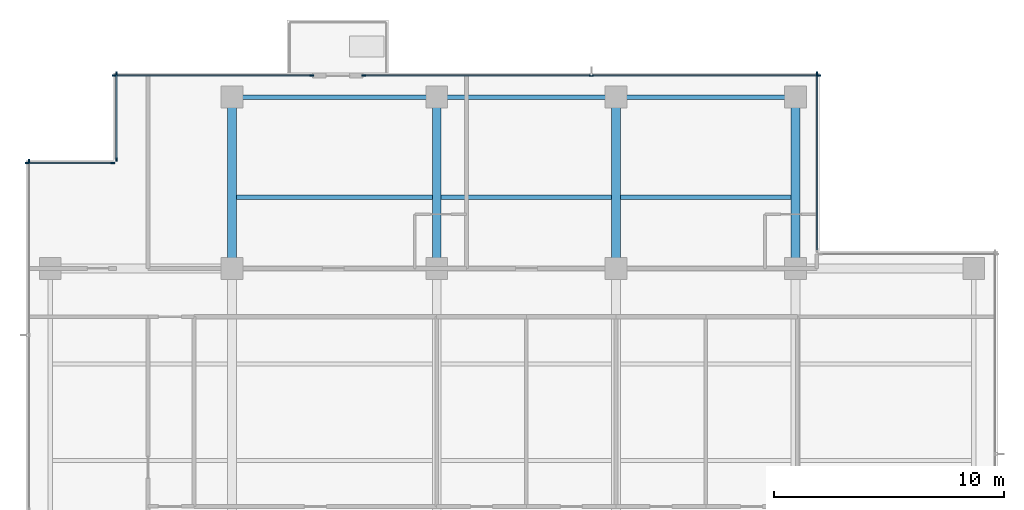
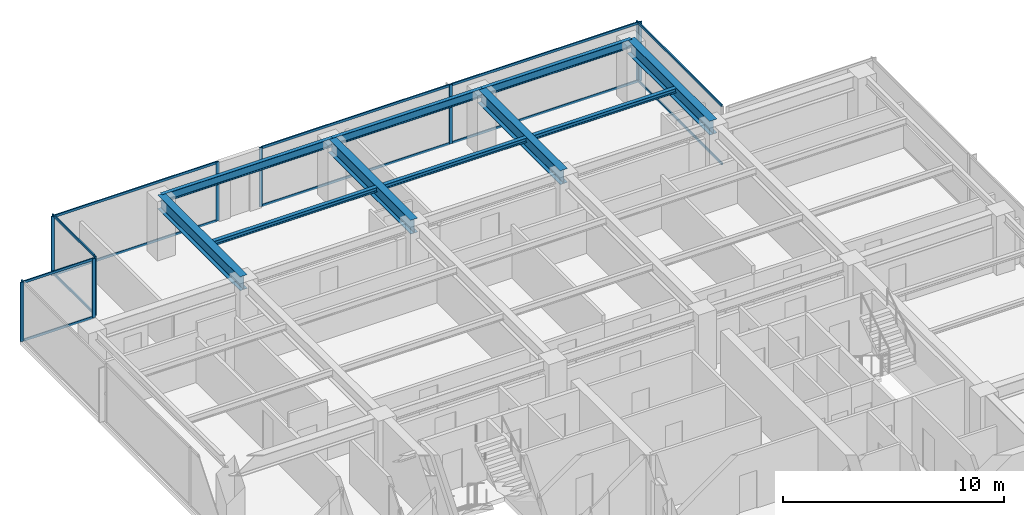
# One storey, part 5 of 14: 23 members, 10 beams, 6 elements without a shape of their own.
"""IFC4 building model written with IfcOpenShell, lengths in metres."""

from ifc_helpers import new_model, si_unit, direction, frame, origin, origin_2d, place, context, subcontext, project, spatial, rectangle, i_section, extrude, material, layer, layer_set, material_profile, profile_set, type_object, element, aggregate, save


model = new_model("IFC4")

# Units and contexts
model_context = context("Model", 3, precision=1e-05, world=origin(), true_north=direction((0.0, 1.0)))
body_context = subcontext(model_context, "Body", "Model", "MODEL_VIEW")
ifc_project = project(units=[si_unit("LENGTHUNIT", "METRE"), si_unit("AREAUNIT", "SQUARE_METRE"), si_unit("VOLUMEUNIT", "CUBIC_METRE"), si_unit("PLANEANGLEUNIT", "RADIAN"), si_unit("MASSUNIT", "GRAM", prefix="KILO")], contexts=[model_context])

# Site, building, storey
site_placement = place(None, origin())
site = spatial("IfcSite", under=ifc_project, at=site_placement, CompositionType="ELEMENT")
building_placement = place(site_placement, origin())
building = spatial("IfcBuilding", under=site, at=building_placement, Name="Qalmaran Belvedere Hotel", CompositionType="ELEMENT")
storey_placement = place(building_placement, frame((0.0, 0.0, 217.89990234375)))
storey = spatial("IfcBuildingStorey", under=building, at=storey_placement, Name="L55", CompositionType="ELEMENT", Elevation=217.89990234375)

# Beams
ifc_material_1 = material(Name="Steel S355JR", Category="steel")
ifc_material_profile_1 = material_profile(ifc_material_1, i_section(OverallWidth=0.201904296875, OverallDepth=0.2470703125, WebThickness=0.00732421875, FlangeThickness=0.010986328125, FilletRadius=0.011962890625, at=origin_2d()), Name="W250X49")
ifc_profile_set_1 = profile_set([ifc_material_profile_1], Name="Steel S355JR")
beam_type_1 = type_object("IfcBeamType", Name="BM-JST-W250X49", PredefinedType="JOIST", material=ifc_profile_set_1)
beam_1_placement = place(storey_placement, frame((20.488525390625, 36.10009765625, 3.13671875), z_axis=(1.0, 0.0, 0.0), x_axis=(0.0, 1.0, 0.0)))
element("IfcBeam", 1, at=beam_1_placement, inside=storey, type_object=beam_type_1, Name="L55 North Floor Joist 042", PredefinedType="JOIST", context=body_context, shape_type="SweptSolid", body=[
    extrude(i_section(OverallWidth=0.201904296875, OverallDepth=0.2470703125, WebThickness=0.00732421875, FlangeThickness=0.010986328125, FilletRadius=0.011962890625, at=origin_2d()), origin(), (0.0, 0.0, 1.0), 8.52294921875),
])
for number, where, z_axis, x_axis, name in (
    (2, (29.388427734375, 36.10009765625, 3.13671875), (1.0, 0.0, 0.0), (0.0, 1.0, 0.0), "L55 North Floor Joist 043"),
    (3, (37.1884765625, 36.10009765625, 3.13671875), (1.0, 0.0, 0.0), (0.0, 1.0, 0.0), "L55 North Floor Joist 044"),
):
    element("IfcBeam", number, at=place(storey_placement, frame(where, z_axis=z_axis, x_axis=x_axis)), inside=storey, type_object=beam_type_1, Name=name, PredefinedType="JOIST", context=body_context, shape_type="SweptSolid", body=[
        extrude(i_section(OverallWidth=0.201904296875, OverallDepth=0.2470703125, WebThickness=0.00732421875, FlangeThickness=0.010986328125, FilletRadius=0.011962890625, at=origin_2d()), origin(), (0.0, 0.0, 1.0), 7.423095703125),
    ])
ifc_material_profile_2 = material_profile(ifc_material_1, i_section(OverallWidth=0.381103515625, OverallDepth=0.77294921875, WebThickness=0.0166015625, FlangeThickness=0.027099609375, FilletRadius=0.02197265625, at=origin_2d()), Name="W760X257")
ifc_profile_set_2 = profile_set([ifc_material_profile_2], Name="Steel S355JR")
beam_type_2 = type_object("IfcBeamType", Name="BM-PG4-W760X257", PredefinedType="USERDEFINED", material=ifc_profile_set_2)
for number, where, z_axis, x_axis, name in (
    (4, (20.300048828125, 33.0, 2.87353515625), (0.0, 1.0, 0.0), (-1.0, 0.0, 0.0), "L55 North Bay Girder 15"),
    (5, (29.199951171875, 33.0, 2.87353515625), (0.0, 1.0, 0.0), (-1.0, 0.0, 0.0), "L55 North Bay Girder 17"),
    (6, (37.0, 33.0, 2.87353515625), (0.0, 1.0, 0.0), (-1.0, 0.0, 0.0), "L55 North Bay Girder 19"),
    (7, (44.800048828125, 33.0, 2.87353515625), (0.0, 1.0, 0.0), (-1.0, 0.0, 0.0), "L55 North Bay Girder 21"),
):
    element("IfcBeam", number, at=place(storey_placement, frame(where, z_axis=z_axis, x_axis=x_axis)), inside=storey, type_object=beam_type_2, Name=name, ObjectType="GIRDER", PredefinedType="USERDEFINED", context=body_context, shape_type="SweptSolid", body=[
        extrude(i_section(OverallWidth=0.381103515625, OverallDepth=0.77294921875, WebThickness=0.0166015625, FlangeThickness=0.027099609375, FilletRadius=0.02197265625, at=origin_2d()), origin(), (0.0, 0.0, 1.0), 7.449951171875),
    ])
ifc_material_profile_3 = material_profile(ifc_material_1, i_section(OverallWidth=0.19189453125, OverallDepth=0.462890625, WebThickness=0.010498046875, FlangeThickness=0.017578125, FilletRadius=0.01611328125, at=origin_2d()), Name="W460X89")
ifc_profile_set_3 = profile_set([ifc_material_profile_3], Name="Steel S355JR")
beam_type_3 = type_object("IfcBeamType", Name="BM-SP2-W460X89", PredefinedType="SPANDREL", material=ifc_profile_set_3)
beam_2_placement = place(storey_placement, frame((20.300048828125, 40.449951171875, 3.028564453125), z_axis=(1.0, 0.0, 0.0), x_axis=(0.0, 1.0, 0.0)))
element("IfcBeam", 8, at=beam_2_placement, inside=storey, type_object=beam_type_3, Name="L55 Perimeter Spandrel 05", PredefinedType="SPANDREL", context=body_context, shape_type="SweptSolid", body=[
    extrude(i_section(OverallWidth=0.19189453125, OverallDepth=0.462890625, WebThickness=0.010498046875, FlangeThickness=0.017578125, FilletRadius=0.01611328125, at=origin_2d()), origin(), (0.0, 0.0, 1.0), 8.89990234375),
])
for number, where, z_axis, x_axis, name in (
    (9, (29.199951171875, 40.449951171875, 3.028564453125), (1.0, 0.0, 0.0), (0.0, 1.0, 0.0), "L55 Perimeter Spandrel 06"),
    (10, (37.0, 40.449951171875, 3.028564453125), (1.0, 0.0, 0.0), (0.0, 1.0, 0.0), "L55 Perimeter Spandrel 07"),
):
    element("IfcBeam", number, at=place(storey_placement, frame(where, z_axis=z_axis, x_axis=x_axis)), inside=storey, type_object=beam_type_3, Name=name, PredefinedType="SPANDREL", context=body_context, shape_type="SweptSolid", body=[
        extrude(i_section(OverallWidth=0.19189453125, OverallDepth=0.462890625, WebThickness=0.010498046875, FlangeThickness=0.017578125, FilletRadius=0.01611328125, at=origin_2d()), origin(), (0.0, 0.0, 1.0), 7.800048828125),
    ])

# Curtain wall, member
ifc_material_2 = material(Name="Anodised Bronze Aluminium", Category="aluminium")
ifc_layer = layer(ifc_material_2, 0.18994140625, Name="Anodised Bronze Aluminium")
ifc_layer_set = layer_set([ifc_layer], Name="Anodised Bronze Aluminium")
curtain_wall_type = type_object("IfcCurtainWallType", Name="CW5-TOWER-UPPER", PredefinedType="NOTDEFINED", material=ifc_layer_set)
curtain_wall_1_placement = place(storey_placement, origin())
curtain_wall_1 = element("IfcCurtainWall", 11, at=curtain_wall_1_placement, inside=storey, type_object=curtain_wall_type, Name="L55 Curtain Wall CW5", PredefinedType="NOTDEFINED")
ifc_material_profile_4 = material_profile(ifc_material_2, rectangle(XDim=0.06494140625, YDim=0.1650390625, at=origin_2d()), Name="CWM65X165")
ifc_profile_set_4 = profile_set([ifc_material_profile_4], Name="Anodised Bronze Aluminium")
member_type_1 = type_object("IfcMemberType", Name="CWM-65X165", PredefinedType="MULLION", material=ifc_profile_set_4)
member_1_placement = place(storey_placement, frame((45.72998046875, 41.467529296875, 0.0), z_axis=(0.0, 0.0, 1.0), x_axis=(-1.0, 0.0, 0.0)))
member_1 = element("IfcMember", 12, at=member_1_placement, type_object=member_type_1, Name="CW5 mullion 2", PredefinedType="MULLION", context=body_context, shape_type="SweptSolid", body=[
    extrude(rectangle(XDim=0.06494140625, YDim=0.1650390625, at=origin_2d()), origin(), (0.0, 0.0, 1.0), 3.260009765625),
])

# Curtain wall, members
curtain_wall_2_placement = place(storey_placement, origin())
curtain_wall_2 = element("IfcCurtainWall", 13, at=curtain_wall_2_placement, inside=storey, type_object=curtain_wall_type, Name="L55 Curtain Wall CW5", PredefinedType="NOTDEFINED")
member_2_placement = place(storey_placement, frame((23.767578125, 41.3798828125, 0.0), z_axis=(0.0, 0.0, 1.0), x_axis=(0.0, -1.0, 0.0)))
member_2 = element("IfcMember", 14, at=member_2_placement, type_object=member_type_1, Name="CW5 mullion 1", PredefinedType="MULLION", context=body_context, shape_type="SweptSolid", body=[
    extrude(rectangle(XDim=0.06494140625, YDim=0.1650390625, at=origin_2d()), origin(), (0.0, 0.0, 1.0), 3.260009765625),
])
member_3_placement = place(storey_placement, frame((15.1826171875, 41.3798828125, 0.0), z_axis=(0.0, 0.0, 1.0), x_axis=(0.0, -1.0, 0.0)))
member_3 = element("IfcMember", 15, at=member_3_placement, type_object=member_type_1, Name="CW5 mullion 2", PredefinedType="MULLION", context=body_context, shape_type="SweptSolid", body=[
    extrude(rectangle(XDim=0.06494140625, YDim=0.1650390625, at=origin_2d()), origin(), (0.0, 0.0, 1.0), 3.260009765625),
])

curtain_wall_3_placement = place(storey_placement, origin())
curtain_wall_3 = element("IfcCurtainWall", 16, at=curtain_wall_3_placement, inside=storey, type_object=curtain_wall_type, Name="L55 Curtain Wall CW5", PredefinedType="NOTDEFINED")
member_4_placement = place(storey_placement, frame((45.8173828125, 41.3798828125, 0.0), z_axis=(0.0, 0.0, 1.0), x_axis=(0.0, -1.0, 0.0)))
member_4 = element("IfcMember", 17, at=member_4_placement, type_object=member_type_1, Name="CW5 mullion 1", PredefinedType="MULLION", context=body_context, shape_type="SweptSolid", body=[
    extrude(rectangle(XDim=0.06494140625, YDim=0.1650390625, at=origin_2d()), origin(), (0.0, 0.0, 1.0), 3.260009765625),
])
member_5_placement = place(storey_placement, frame((35.925048828125, 41.3798828125, 0.0), z_axis=(0.0, 0.0, 1.0), x_axis=(0.0, -1.0, 0.0)))
member_5 = element("IfcMember", 18, at=member_5_placement, type_object=member_type_1, Name="CW5 mullion 2", PredefinedType="MULLION", context=body_context, shape_type="SweptSolid", body=[
    extrude(rectangle(XDim=0.06494140625, YDim=0.1650390625, at=origin_2d()), origin(), (0.0, 0.0, 1.0), 3.260009765625),
])
member_6_placement = place(storey_placement, frame((26.032470703125, 41.3798828125, 0.0), z_axis=(0.0, 0.0, 1.0), x_axis=(0.0, -1.0, 0.0)))
member_6 = element("IfcMember", 19, at=member_6_placement, type_object=member_type_1, Name="CW5 mullion 3", PredefinedType="MULLION", context=body_context, shape_type="SweptSolid", body=[
    extrude(rectangle(XDim=0.06494140625, YDim=0.1650390625, at=origin_2d()), origin(), (0.0, 0.0, 1.0), 3.260009765625),
])

curtain_wall_4_placement = place(storey_placement, origin())
curtain_wall_4 = element("IfcCurtainWall", 20, at=curtain_wall_4_placement, inside=storey, type_object=curtain_wall_type, Name="L55 Curtain Wall CW5", PredefinedType="NOTDEFINED")
member_7_placement = place(storey_placement, frame((15.27001953125, 41.467529296875, 0.0), z_axis=(0.0, 0.0, 1.0), x_axis=(1.0, 0.0, 0.0)))
member_7 = element("IfcMember", 21, at=member_7_placement, type_object=member_type_1, Name="CW5 mullion 1", PredefinedType="MULLION", context=body_context, shape_type="SweptSolid", body=[
    extrude(rectangle(XDim=0.06494140625, YDim=0.1650390625, at=origin_2d()), origin(), (0.0, 0.0, 1.0), 3.260009765625),
])
member_8_placement = place(storey_placement, frame((15.27001953125, 37.732421875, 0.0), z_axis=(0.0, 0.0, 1.0), x_axis=(1.0, 0.0, 0.0)))
member_8 = element("IfcMember", 22, at=member_8_placement, type_object=member_type_1, Name="CW5 mullion 2", PredefinedType="MULLION", context=body_context, shape_type="SweptSolid", body=[
    extrude(rectangle(XDim=0.06494140625, YDim=0.1650390625, at=origin_2d()), origin(), (0.0, 0.0, 1.0), 3.260009765625),
])

curtain_wall_5_placement = place(storey_placement, origin())
curtain_wall_5 = element("IfcCurtainWall", 23, at=curtain_wall_5_placement, inside=storey, type_object=curtain_wall_type, Name="L55 Curtain Wall CW5", PredefinedType="NOTDEFINED")
member_9_placement = place(storey_placement, frame((15.117431640625, 37.580078125, 0.0), z_axis=(0.0, 0.0, 1.0), x_axis=(0.0, -1.0, 0.0)))
member_9 = element("IfcMember", 24, at=member_9_placement, type_object=member_type_1, Name="CW5 mullion 1", PredefinedType="MULLION", context=body_context, shape_type="SweptSolid", body=[
    extrude(rectangle(XDim=0.06494140625, YDim=0.1650390625, at=origin_2d()), origin(), (0.0, 0.0, 1.0), 3.260009765625),
])
member_10_placement = place(storey_placement, frame((11.382568359375, 37.580078125, 0.0), z_axis=(0.0, 0.0, 1.0), x_axis=(0.0, -1.0, 0.0)))
member_10 = element("IfcMember", 25, at=member_10_placement, type_object=member_type_1, Name="CW5 mullion 2", PredefinedType="MULLION", context=body_context, shape_type="SweptSolid", body=[
    extrude(rectangle(XDim=0.06494140625, YDim=0.1650390625, at=origin_2d()), origin(), (0.0, 0.0, 1.0), 3.260009765625),
])

# Curtain wall, member
curtain_wall_6_placement = place(storey_placement, origin())
curtain_wall_6 = element("IfcCurtainWall", 26, at=curtain_wall_6_placement, inside=storey, type_object=curtain_wall_type, Name="L55 Curtain Wall CW5", PredefinedType="NOTDEFINED")
member_11_placement = place(storey_placement, frame((11.469970703125, 37.66748046875, 0.0), z_axis=(0.0, 0.0, 1.0), x_axis=(1.0, 0.0, 0.0)))
member_11 = element("IfcMember", 27, at=member_11_placement, type_object=member_type_1, Name="CW5 mullion 1", PredefinedType="MULLION", context=body_context, shape_type="SweptSolid", body=[
    extrude(rectangle(XDim=0.06494140625, YDim=0.1650390625, at=origin_2d()), origin(), (0.0, 0.0, 1.0), 3.260009765625),
])
aggregate(curtain_wall_6, [member_11])

# Member
ifc_material_profile_5 = material_profile(ifc_material_2, rectangle(XDim=0.06494140625, YDim=0.1298828125, at=origin_2d()), Name="CWT65X130")
ifc_profile_set_5 = profile_set([ifc_material_profile_5], Name="Anodised Bronze Aluminium")
member_type_2 = type_object("IfcMemberType", Name="CWT-65X130", PredefinedType="USERDEFINED", material=ifc_profile_set_5)
member_12_placement = place(storey_placement, frame((45.72998046875, 33.81494140625, 0.03271484375), z_axis=(0.0, 1.0, 0.0), x_axis=(-1.0, 0.0, 0.0)))
member_12 = element("IfcMember", 28, at=member_12_placement, type_object=member_type_2, Name="CW5 transom 1.1", ObjectType="TRANSOM", PredefinedType="USERDEFINED", context=body_context, shape_type="SweptSolid", body=[
    extrude(rectangle(XDim=0.06494140625, YDim=0.1298828125, at=origin_2d()), origin(), (0.0, 0.0, 1.0), 7.6201171875),
])

member_13_placement = place(storey_placement, frame((45.72998046875, 33.81494140625, 3.2275390625), z_axis=(0.0, 1.0, 0.0), x_axis=(-1.0, 0.0, 0.0)))
member_13 = element("IfcMember", 29, at=member_13_placement, type_object=member_type_2, Name="CW5 transom 1.2", ObjectType="TRANSOM", PredefinedType="USERDEFINED", context=body_context, shape_type="SweptSolid", body=[
    extrude(rectangle(XDim=0.06494140625, YDim=0.1298828125, at=origin_2d()), origin(), (0.0, 0.0, 1.0), 7.6201171875),
])

aggregate(curtain_wall_1, [member_1, member_12, member_13])

member_14_placement = place(storey_placement, frame((23.735107421875, 41.3798828125, 0.03271484375), z_axis=(-1.0, 0.0, 0.0), x_axis=(0.0, -1.0, 0.0)))
member_14 = element("IfcMember", 30, at=member_14_placement, type_object=member_type_2, Name="CW5 transom 1.1", ObjectType="TRANSOM", PredefinedType="USERDEFINED", context=body_context, shape_type="SweptSolid", body=[
    extrude(rectangle(XDim=0.06494140625, YDim=0.1298828125, at=origin_2d()), origin(), (0.0, 0.0, 1.0), 8.52001953125),
])

member_15_placement = place(storey_placement, frame((23.735107421875, 41.3798828125, 3.2275390625), z_axis=(-1.0, 0.0, 0.0), x_axis=(0.0, -1.0, 0.0)))
member_15 = element("IfcMember", 31, at=member_15_placement, type_object=member_type_2, Name="CW5 transom 1.2", ObjectType="TRANSOM", PredefinedType="USERDEFINED", context=body_context, shape_type="SweptSolid", body=[
    extrude(rectangle(XDim=0.06494140625, YDim=0.1298828125, at=origin_2d()), origin(), (0.0, 0.0, 1.0), 8.52001953125),
])

aggregate(curtain_wall_2, [member_2, member_3, member_14, member_15])

member_16_placement = place(storey_placement, frame((45.784912109375, 41.3798828125, 0.03271484375), z_axis=(-1.0, 0.0, 0.0), x_axis=(0.0, -1.0, 0.0)))
member_16 = element("IfcMember", 32, at=member_16_placement, type_object=member_type_2, Name="CW5 transom 1.1", ObjectType="TRANSOM", PredefinedType="USERDEFINED", context=body_context, shape_type="SweptSolid", body=[
    extrude(rectangle(XDim=0.06494140625, YDim=0.1298828125, at=origin_2d()), origin(), (0.0, 0.0, 1.0), 9.827392578125),
])

member_17_placement = place(storey_placement, frame((45.784912109375, 41.3798828125, 3.2275390625), z_axis=(-1.0, 0.0, 0.0), x_axis=(0.0, -1.0, 0.0)))
member_17 = element("IfcMember", 33, at=member_17_placement, type_object=member_type_2, Name="CW5 transom 1.2", ObjectType="TRANSOM", PredefinedType="USERDEFINED", context=body_context, shape_type="SweptSolid", body=[
    extrude(rectangle(XDim=0.06494140625, YDim=0.1298828125, at=origin_2d()), origin(), (0.0, 0.0, 1.0), 9.827392578125),
])

member_18_placement = place(storey_placement, frame((35.892578125, 41.3798828125, 0.03271484375), z_axis=(-1.0, 0.0, 0.0), x_axis=(0.0, -1.0, 0.0)))
member_18 = element("IfcMember", 34, at=member_18_placement, type_object=member_type_2, Name="CW5 transom 2.1", ObjectType="TRANSOM", PredefinedType="USERDEFINED", context=body_context, shape_type="SweptSolid", body=[
    extrude(rectangle(XDim=0.06494140625, YDim=0.1298828125, at=origin_2d()), origin(), (0.0, 0.0, 1.0), 9.82763671875),
])

member_19_placement = place(storey_placement, frame((35.892578125, 41.3798828125, 3.2275390625), z_axis=(-1.0, 0.0, 0.0), x_axis=(0.0, -1.0, 0.0)))
member_19 = element("IfcMember", 35, at=member_19_placement, type_object=member_type_2, Name="CW5 transom 2.2", ObjectType="TRANSOM", PredefinedType="USERDEFINED", context=body_context, shape_type="SweptSolid", body=[
    extrude(rectangle(XDim=0.06494140625, YDim=0.1298828125, at=origin_2d()), origin(), (0.0, 0.0, 1.0), 9.82763671875),
])

aggregate(curtain_wall_3, [member_4, member_5, member_6, member_16, member_17, member_18, member_19])

member_20_placement = place(storey_placement, frame((15.27001953125, 41.43505859375, 0.03271484375), z_axis=(0.0, -1.0, 0.0), x_axis=(1.0, 0.0, 0.0)))
member_20 = element("IfcMember", 36, at=member_20_placement, type_object=member_type_2, Name="CW5 transom 1.1", ObjectType="TRANSOM", PredefinedType="USERDEFINED", context=body_context, shape_type="SweptSolid", body=[
    extrude(rectangle(XDim=0.06494140625, YDim=0.1298828125, at=origin_2d()), origin(), (0.0, 0.0, 1.0), 3.670166015625),
])

member_21_placement = place(storey_placement, frame((15.27001953125, 41.43505859375, 3.2275390625), z_axis=(0.0, -1.0, 0.0), x_axis=(1.0, 0.0, 0.0)))
member_21 = element("IfcMember", 37, at=member_21_placement, type_object=member_type_2, Name="CW5 transom 1.2", ObjectType="TRANSOM", PredefinedType="USERDEFINED", context=body_context, shape_type="SweptSolid", body=[
    extrude(rectangle(XDim=0.06494140625, YDim=0.1298828125, at=origin_2d()), origin(), (0.0, 0.0, 1.0), 3.670166015625),
])

aggregate(curtain_wall_4, [member_7, member_8, member_20, member_21])

member_22_placement = place(storey_placement, frame((15.0849609375, 37.580078125, 0.03271484375), z_axis=(-1.0, 0.0, 0.0), x_axis=(0.0, -1.0, 0.0)))
member_22 = element("IfcMember", 38, at=member_22_placement, type_object=member_type_2, Name="CW5 transom 1.1", ObjectType="TRANSOM", PredefinedType="USERDEFINED", context=body_context, shape_type="SweptSolid", body=[
    extrude(rectangle(XDim=0.06494140625, YDim=0.1298828125, at=origin_2d()), origin(), (0.0, 0.0, 1.0), 3.669921875),
])

member_23_placement = place(storey_placement, frame((15.0849609375, 37.580078125, 3.2275390625), z_axis=(-1.0, 0.0, 0.0), x_axis=(0.0, -1.0, 0.0)))
member_23 = element("IfcMember", 39, at=member_23_placement, type_object=member_type_2, Name="CW5 transom 1.2", ObjectType="TRANSOM", PredefinedType="USERDEFINED", context=body_context, shape_type="SweptSolid", body=[
    extrude(rectangle(XDim=0.06494140625, YDim=0.1298828125, at=origin_2d()), origin(), (0.0, 0.0, 1.0), 3.669921875),
])

aggregate(curtain_wall_5, [member_9, member_10, member_22, member_23])

save(model, "model.ifc")
